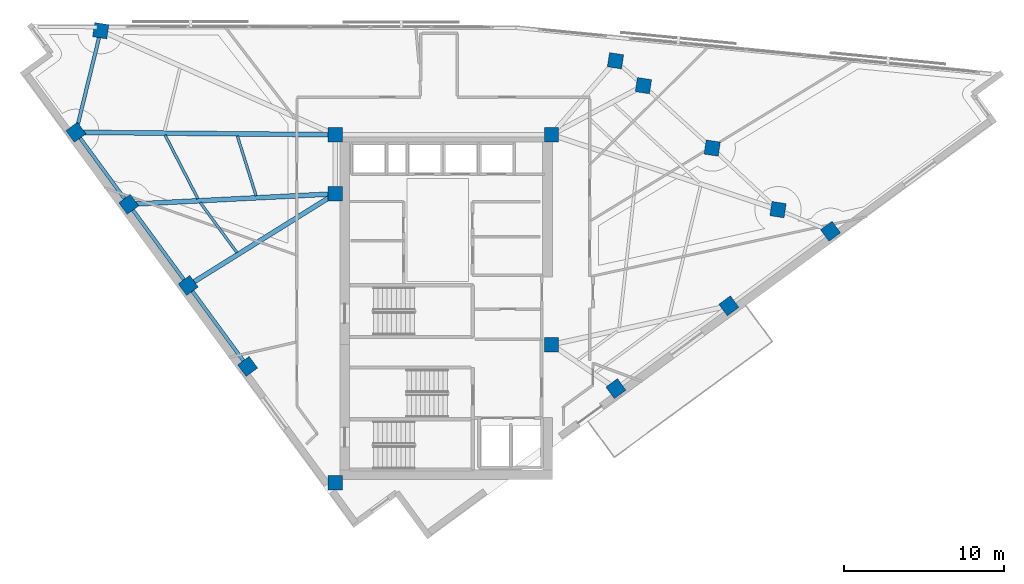
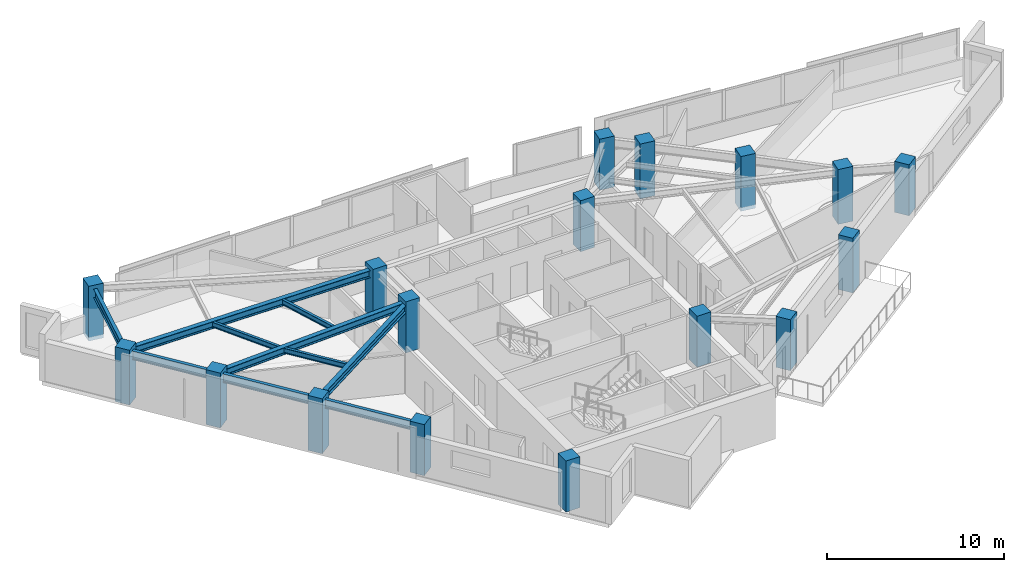
# One storey, part 1 of 13: 17 columns, 10 beams.
"""IFC4 building model written with IfcOpenShell, lengths in metres."""

from ifc_helpers import new_model, si_unit, direction, frame, origin, origin_2d, place, context, subcontext, project, spatial, rectangle, i_section, extrude, material, material_profile, profile_set, type_object, element, save


model = new_model("IFC4")

# Units and contexts
model_context = context("Model", 3, precision=1e-05, world=origin(), true_north=direction((0.0, 1.0)))
body_context = subcontext(model_context, "Body", "Model", "MODEL_VIEW")
ifc_project = project(units=[si_unit("LENGTHUNIT", "METRE"), si_unit("AREAUNIT", "SQUARE_METRE"), si_unit("VOLUMEUNIT", "CUBIC_METRE"), si_unit("PLANEANGLEUNIT", "RADIAN"), si_unit("MASSUNIT", "GRAM", prefix="KILO")], contexts=[model_context])

# Site, building, storey
site_placement = place(None, origin())
site = spatial("IfcSite", under=ifc_project, at=site_placement, CompositionType="ELEMENT")
building_placement = place(site_placement, origin())
building = spatial("IfcBuilding", under=site, at=building_placement, Name="Narakoshi Arena Tower", CompositionType="ELEMENT")
storey_placement = place(building_placement, frame((0.0, 0.0, 232.580078125)))
storey = spatial("IfcBuildingStorey", under=building, at=storey_placement, Name="L63", CompositionType="ELEMENT", Elevation=232.580078125)

# Columns
ifc_material_1 = material(Name="Concrete C50/60", Category="concrete")
ifc_material_profile_1 = material_profile(ifc_material_1, rectangle(XDim=0.89990234375, YDim=0.89990234375, at=origin_2d()), Name="RC900x900")
ifc_profile_set_1 = profile_set([ifc_material_profile_1], Name="Concrete C50/60")
column_type = type_object("IfcColumnType", Name="COL-RC900", PredefinedType="COLUMN", material=ifc_profile_set_1)
for number, where, z_axis, x_axis, name in (
    (1, (72.0, 34.699951171875, 0.0), (0.0, 0.0, 1.0), (1.0, 0.0, 0.0), "L63 Core Structural Column CC1"),
    (2, (85.550048828125, 43.35009765625, 0.0), (0.0, 0.0, 1.0), (1.0, 0.0, 0.0), "L63 Core Structural Column CC3"),
    (3, (72.0, 52.800048828125, 0.0), (0.0, 0.0, 1.0), (1.0, 0.0, 0.0), "L63 Core Structural Column CC4"),
    (4, (72.0, 56.5, 0.0), (0.0, 0.0, 1.0), (1.0, 0.0, 0.0), "L63 Core Structural Column CC5"),
    (5, (85.550048828125, 56.5, 0.0), (0.0, 0.0, 1.0), (1.0, 0.0, 0.0), "L63 Core Structural Column CC6"),
    (6, (89.58642578125, 40.594482421875, 0.0), (0.0, 0.0, 1.0), (0.806444604267, 0.591309648364, 0.0), "L63 Tower Perimeter Column TC01"),
):
    element("IfcColumn", number, at=place(storey_placement, frame(where, z_axis=z_axis, x_axis=x_axis)), inside=storey, type_object=column_type, Name=name, PredefinedType="COLUMN", context=body_context, shape_type="SweptSolid", body=[
        extrude(rectangle(XDim=0.89990234375, YDim=0.89990234375, at=origin_2d()), origin(), (0.0, 0.0, 1.0), 3.52001953125),
    ])
column_1_placement = place(storey_placement, frame((96.663330078125, 45.783447265625, -0.260009765625), z_axis=(0.0, 0.0, 1.0), x_axis=(0.806444604267, 0.591309648364, 0.0)))
element("IfcColumn", 7, at=column_1_placement, inside=storey, type_object=column_type, Name="L63 Tower Perimeter Column TC02", PredefinedType="COLUMN", context=body_context, shape_type="SweptSolid", body=[
    extrude(rectangle(XDim=0.89990234375, YDim=0.89990234375, at=origin_2d()), origin(), (0.0, 0.0, 1.0), 3.780029296875),
])
column_2_placement = place(storey_placement, frame((103.032470703125, 50.45361328125, 0.0), z_axis=(0.0, 0.0, 1.0), x_axis=(0.806444604267, 0.591309648364, 0.0)))
element("IfcColumn", 8, at=column_2_placement, inside=storey, type_object=column_type, Name="L63 Tower Perimeter Column TC03", PredefinedType="COLUMN", context=body_context, shape_type="SweptSolid", body=[
    extrude(rectangle(XDim=0.89990234375, YDim=0.89990234375, at=origin_2d()), origin(), (0.0, 0.0, 1.0), 3.52001953125),
])
for number, where, z_axis, x_axis, name in (
    (9, (99.74267578125, 51.80712890625, -0.260009765625), (0.0, 0.0, 1.0), (0.15212338619, 0.988361510468, 0.0), "L63 Tower Perimeter Column TC05"),
    (10, (95.619384765625, 55.665283203125, -0.260009765625), (0.0, 0.0, 1.0), (0.15212338619, 0.988361510468, 0.0), "L63 Tower Perimeter Column TC06"),
    (11, (91.311279296875, 59.576416015625, -0.260009765625), (0.0, 0.0, 1.0), (0.15212338619, 0.988361510468, 0.0), "L63 Tower Perimeter Column TC07"),
):
    element("IfcColumn", number, at=place(storey_placement, frame(where, z_axis=z_axis, x_axis=x_axis)), inside=storey, type_object=column_type, Name=name, PredefinedType="COLUMN", context=body_context, shape_type="SweptSolid", body=[
        extrude(rectangle(XDim=0.89990234375, YDim=0.89990234375, at=origin_2d()), origin(), (0.0, 0.0, 1.0), 3.780029296875),
    ])
column_3_placement = place(storey_placement, frame((89.5615234375, 61.134765625, 0.0), z_axis=(0.0, 0.0, 1.0), x_axis=(0.15212338619, 0.988361510468, 0.0)))
element("IfcColumn", 12, at=column_3_placement, inside=storey, type_object=column_type, Name="L63 Tower Perimeter Column TC08", PredefinedType="COLUMN", context=body_context, shape_type="SweptSolid", body=[
    extrude(rectangle(XDim=0.89990234375, YDim=0.89990234375, at=origin_2d()), origin(), (0.0, 0.0, 1.0), 3.52001953125),
])
for number, where, z_axis, x_axis, name in (
    (13, (57.30908203125, 63.0205078125, -0.260009765625), (0.0, 0.0, 1.0), (0.15212338619, 0.988361510468, 0.0), "L63 Tower Perimeter Column TC10"),
    (14, (55.75341796875, 56.654296875, -0.260009765625), (0.0, 0.0, 1.0), (-0.591309648364, 0.806444604267, 0.0), "L63 Tower Perimeter Column TC13"),
    (15, (59.063232421875, 52.140380859375, -0.260009765625), (0.0, 0.0, 1.0), (-0.591309648364, 0.806444604267, 0.0), "L63 Tower Perimeter Column TC14"),
    (16, (62.786865234375, 47.061767578125, -0.260009765625), (0.0, 0.0, 1.0), (-0.591309648364, 0.806444604267, 0.0), "L63 Tower Perimeter Column TC15"),
):
    element("IfcColumn", number, at=place(storey_placement, frame(where, z_axis=z_axis, x_axis=x_axis)), inside=storey, type_object=column_type, Name=name, PredefinedType="COLUMN", context=body_context, shape_type="SweptSolid", body=[
        extrude(rectangle(XDim=0.89990234375, YDim=0.89990234375, at=origin_2d()), origin(), (0.0, 0.0, 1.0), 3.780029296875),
    ])
column_4_placement = place(storey_placement, frame((66.510498046875, 41.9833984375, 0.0), z_axis=(0.0, 0.0, 1.0), x_axis=(-0.591309648364, 0.806444604267, 0.0)))
element("IfcColumn", 17, at=column_4_placement, inside=storey, type_object=column_type, Name="L63 Tower Perimeter Column TC16", PredefinedType="COLUMN", context=body_context, shape_type="SweptSolid", body=[
    extrude(rectangle(XDim=0.89990234375, YDim=0.89990234375, at=origin_2d()), origin(), (0.0, 0.0, 1.0), 3.52001953125),
])

# Beams
ifc_material_2 = material(Name="Structural steel S355J2", Category="steel")
ifc_material_profile_2 = material_profile(ifc_material_2, i_section(OverallWidth=0.219970703125, OverallDepth=0.60009765625, WebThickness=0.011962890625, FlangeThickness=0.01904296875, FilletRadius=0.02392578125, at=origin_2d()), Name="IPE600")
ifc_profile_set_2 = profile_set([ifc_material_profile_2], Name="Structural steel S355J2")
beam_type_1 = type_object("IfcBeamType", Name="BM-EDGE-600", PredefinedType="BEAM", material=ifc_profile_set_2)
beam_1_placement = place(storey_placement, frame((57.30908203125, 63.0205078125, 2.9599609375), z_axis=(-0.237378097084, -0.971417335147, 0.0), x_axis=(0.971417335147, -0.237378097084, 0.0)))
element("IfcBeam", 18, at=beam_1_placement, inside=storey, type_object=beam_type_1, Name="L63 Perimeter Edge Girder 08", PredefinedType="BEAM", context=body_context, shape_type="SweptSolid", body=[
    extrude(i_section(OverallWidth=0.219970703125, OverallDepth=0.60009765625, WebThickness=0.011962890625, FlangeThickness=0.01904296875, FilletRadius=0.02392578125, at=origin_2d()), origin(), (0.0, 0.0, 1.0), 6.553466796875),
])
beam_2_placement = place(storey_placement, frame((55.75341796875, 56.654296875, 2.9599609375), z_axis=(0.591318280641, -0.806438274749, 0.0), x_axis=(0.806438274749, 0.591318280641, 0.0)))
element("IfcBeam", 19, at=beam_2_placement, inside=storey, type_object=beam_type_1, Name="L63 Perimeter Edge Girder 09", PredefinedType="BEAM", context=body_context, shape_type="SweptSolid", body=[
    extrude(i_section(OverallWidth=0.219970703125, OverallDepth=0.60009765625, WebThickness=0.011962890625, FlangeThickness=0.01904296875, FilletRadius=0.02392578125, at=origin_2d()), origin(), (0.0, 0.0, 1.0), 5.597412109375),
])
for number, where, z_axis, x_axis, name in (
    (20, (59.063232421875, 52.140380859375, 2.9599609375), (0.591293071807, -0.80645675844, 0.0), (0.80645675844, 0.591293071807, 0.0), "L63 Perimeter Edge Girder 10"),
    (21, (62.786865234375, 47.061767578125, 2.9599609375), (0.59131155895, -0.806443203364, 0.0), (0.806443203364, 0.59131155895, 0.0), "L63 Perimeter Edge Girder 11"),
):
    element("IfcBeam", number, at=place(storey_placement, frame(where, z_axis=z_axis, x_axis=x_axis)), inside=storey, type_object=beam_type_1, Name=name, PredefinedType="BEAM", context=body_context, shape_type="SweptSolid", body=[
        extrude(i_section(OverallWidth=0.219970703125, OverallDepth=0.60009765625, WebThickness=0.011962890625, FlangeThickness=0.01904296875, FilletRadius=0.02392578125, at=origin_2d()), origin(), (0.0, 0.0, 1.0), 6.29736328125),
    ])
ifc_material_profile_3 = material_profile(ifc_material_2, i_section(OverallWidth=0.300048828125, OverallDepth=0.5, WebThickness=0.014404296875, FlangeThickness=0.028076171875, FilletRadius=0.027099609375, at=origin_2d()), Name="HE500B")
ifc_profile_set_3 = profile_set([ifc_material_profile_3], Name="Structural steel S355J2")
beam_type_2 = type_object("IfcBeamType", Name="BM-PRI-500", PredefinedType="BEAM", material=ifc_profile_set_3)
beam_3_placement = place(storey_placement, frame((72.0, 56.5, 3.010009765625), z_axis=(-0.999954904742, 0.009496761636, 0.0), x_axis=(-0.009496761636, -0.999954904742, 0.0)))
element("IfcBeam", 22, at=beam_3_placement, inside=storey, type_object=beam_type_2, Name="L63 Radial Primary Floor Girder 09", PredefinedType="BEAM", context=body_context, shape_type="SweptSolid", body=[
    extrude(i_section(OverallWidth=0.300048828125, OverallDepth=0.5, WebThickness=0.014404296875, FlangeThickness=0.028076171875, FilletRadius=0.027099609375, at=origin_2d()), origin(), (0.0, 0.0, 1.0), 16.247314453125),
])
beam_4_placement = place(storey_placement, frame((72.0, 52.800048828125, 3.010009765625), z_axis=(-0.998702452309, -0.050925551079, 0.0), x_axis=(0.050925551079, -0.998702452309, 0.0)))
element("IfcBeam", 23, at=beam_4_placement, inside=storey, type_object=beam_type_2, Name="L63 Radial Primary Floor Girder 10", PredefinedType="BEAM", context=body_context, shape_type="SweptSolid", body=[
    extrude(i_section(OverallWidth=0.300048828125, OverallDepth=0.5, WebThickness=0.014404296875, FlangeThickness=0.028076171875, FilletRadius=0.027099609375, at=origin_2d()), origin(), (0.0, 0.0, 1.0), 12.95361328125),
])
beam_5_placement = place(storey_placement, frame((72.0, 52.800048828125, 3.010009765625), z_axis=(-0.848822444764, -0.528678027976, 0.0), x_axis=(0.528678027976, -0.848822444764, 0.0)))
element("IfcBeam", 24, at=beam_5_placement, inside=storey, type_object=beam_type_2, Name="L63 Radial Primary Floor Girder 11", PredefinedType="BEAM", context=body_context, shape_type="SweptSolid", body=[
    extrude(i_section(OverallWidth=0.300048828125, OverallDepth=0.5, WebThickness=0.014404296875, FlangeThickness=0.028076171875, FilletRadius=0.027099609375, at=origin_2d()), origin(), (0.0, 0.0, 1.0), 10.85400390625),
])
ifc_material_profile_4 = material_profile(ifc_material_2, i_section(OverallWidth=0.169921875, OverallDepth=0.360107421875, WebThickness=0.008056640625, FlangeThickness=0.0126953125, FilletRadius=0.01806640625, at=origin_2d()), Name="IPE360")
ifc_profile_set_4 = profile_set([ifc_material_profile_4], Name="Structural steel S355J2")
beam_type_3 = type_object("IfcBeamType", Name="BM-SEC-360", PredefinedType="JOIST", material=ifc_profile_set_4)
beam_6_placement = place(storey_placement, frame((65.86669921875, 56.429931640625, 3.079833984375), z_axis=(0.299321233249, -0.954152398376, 0.0), x_axis=(0.954152398376, 0.299321233249, 0.0)))
element("IfcBeam", 25, at=beam_6_placement, inside=storey, type_object=beam_type_3, Name="L63 Composite Secondary Floor Joist 08", PredefinedType="JOIST", context=body_context, shape_type="SweptSolid", body=[
    extrude(i_section(OverallWidth=0.169921875, OverallDepth=0.360107421875, WebThickness=0.008056640625, FlangeThickness=0.0126953125, FilletRadius=0.01806640625, at=origin_2d()), origin(), (0.0, 0.0, 1.0), 3.93212890625),
])
beam_7_placement = place(storey_placement, frame((61.339111328125, 56.48193359375, 3.079833984375), z_axis=(0.458232175947, -0.888832533679, 0.0), x_axis=(0.888832533679, 0.458232175947, 0.0)))
element("IfcBeam", 26, at=beam_7_placement, inside=storey, type_object=beam_type_3, Name="L63 Composite Secondary Floor Joist 09", PredefinedType="JOIST", context=body_context, shape_type="SweptSolid", body=[
    extrude(i_section(OverallWidth=0.169921875, OverallDepth=0.360107421875, WebThickness=0.008056640625, FlangeThickness=0.0126953125, FilletRadius=0.01806640625, at=origin_2d()), origin(), (0.0, 0.0, 1.0), 4.497314453125),
])
beam_8_placement = place(storey_placement, frame((63.54150390625, 52.255615234375, 3.079833984375), z_axis=(0.591330981868, -0.806428961461, 0.0), x_axis=(0.806428961461, 0.591330981868, 0.0)))
element("IfcBeam", 27, at=beam_8_placement, inside=storey, type_object=beam_type_3, Name="L63 Composite Secondary Floor Joist 10", PredefinedType="JOIST", context=body_context, shape_type="SweptSolid", body=[
    extrude(i_section(OverallWidth=0.169921875, OverallDepth=0.360107421875, WebThickness=0.008056640625, FlangeThickness=0.0126953125, FilletRadius=0.01806640625, at=origin_2d()), origin(), (0.0, 0.0, 1.0), 3.88623046875),
])

save(model, "model.ifc")
